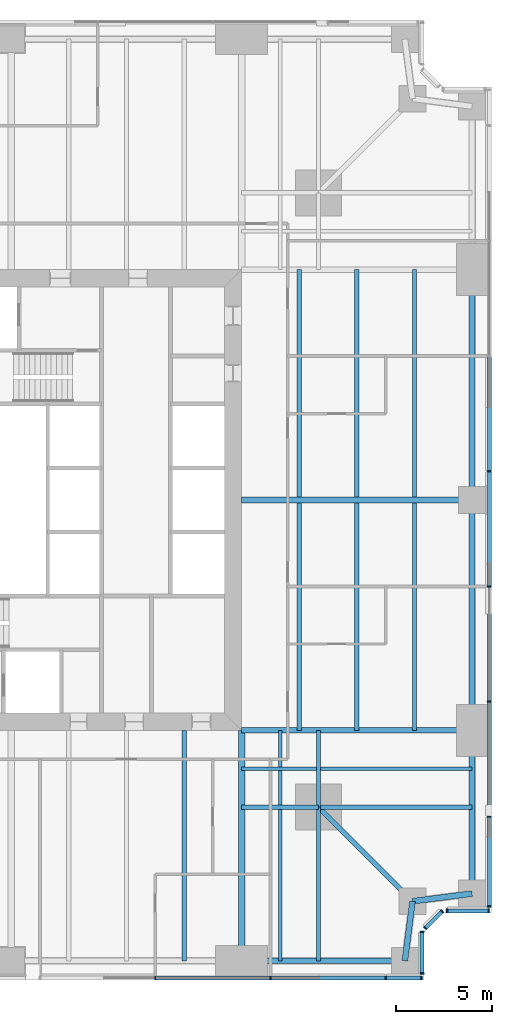
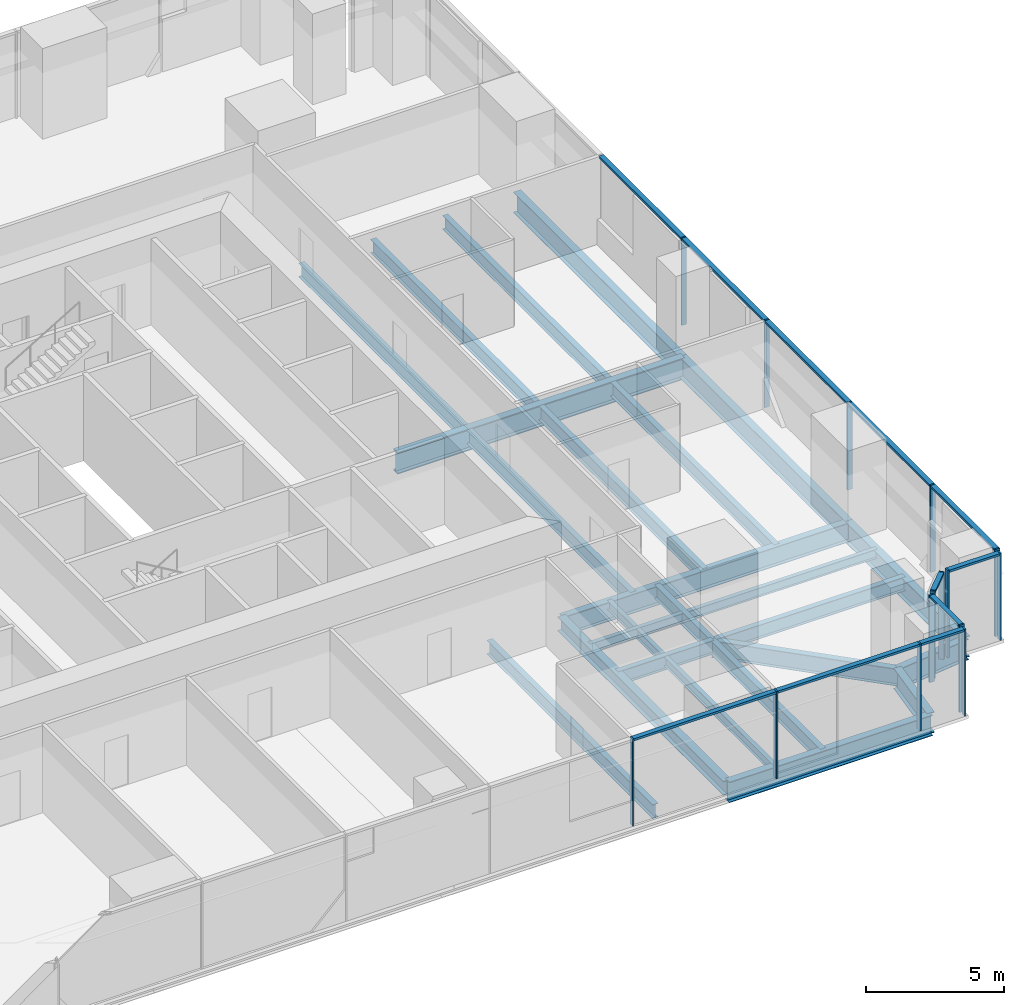
# One storey, part 5 of 13: 26 beams, 26 members, 5 elements without a shape of their own.
"""IFC4 building model written with IfcOpenShell, lengths in metres."""

from ifc_helpers import new_model, si_unit, direction, frame, origin, origin_2d, place, context, subcontext, project, spatial, rectangle, i_section, extrude, material, material_profile, profile_set, type_object, element, aggregate, save


model = new_model("IFC4")

# Units and contexts
model_context = context("Model", 3, precision=1e-05, world=origin(), true_north=direction((0.0, 1.0)))
body_context = subcontext(model_context, "Body", "Model", "MODEL_VIEW")
ifc_project = project(units=[si_unit("LENGTHUNIT", "METRE"), si_unit("AREAUNIT", "SQUARE_METRE"), si_unit("VOLUMEUNIT", "CUBIC_METRE"), si_unit("PLANEANGLEUNIT", "RADIAN"), si_unit("MASSUNIT", "GRAM", prefix="KILO")], contexts=[model_context])

# Site, building, storey
site_placement = place(None, origin())
site = spatial("IfcSite", under=ifc_project, at=site_placement, CompositionType="ELEMENT")
building_placement = place(site_placement, origin())
building = spatial("IfcBuilding", under=site, at=building_placement, Name="Fenwick Lantern Interchange", CompositionType="ELEMENT")
storey_placement = place(building_placement, frame((0.0, 0.0, 63.0)))
storey = spatial("IfcBuildingStorey", under=building, at=storey_placement, Name="L14", CompositionType="ELEMENT", Elevation=63.0)

# Beams
ifc_material_1 = material(Name="Steel ASTM A992 Grade 50", Category="steel")
ifc_material_profile_1 = material_profile(ifc_material_1, i_section(OverallWidth=0.3046875, OverallDepth=0.911865234375, WebThickness=0.015869140625, FlangeThickness=0.02392578125, at=origin_2d()), Name="W36X150")
ifc_profile_set_1 = profile_set([ifc_material_profile_1], Name="Steel ASTM A992 Grade 50")
beam_type_1 = type_object("IfcBeamType", Name="EDGE BEAM W36X150", PredefinedType="SPANDREL", material=ifc_profile_set_1)
beam_1_placement = place(storey_placement, frame((37.0, 1.0, -0.60595703125), z_axis=(1.0, 0.0, 0.0), x_axis=(0.0, 1.0, 0.0)))
element("IfcBeam", 1, at=beam_1_placement, inside=storey, type_object=beam_type_1, Name="L14/FR/S/EB4", PredefinedType="SPANDREL", context=body_context, shape_type="SweptSolid", body=[
    extrude(i_section(OverallWidth=0.3046875, OverallDepth=0.911865234375, WebThickness=0.015869140625, FlangeThickness=0.02392578125, at=origin_2d()), origin(), (0.0, 0.0, 1.0), 8.5),
])
for number, where, z_axis, x_axis, name in (
    (2, (45.5, 1.0, -0.60595703125), (0.127936641807, 0.991782342897, 0.0), (-0.991782342897, 0.127936641807, 0.0), "L14/FR/S/EBR1"),
    (3, (45.89990234375, 4.10009765625, -0.60595703125), (0.991782342897, 0.127936641807, 0.0), (-0.127936641807, 0.991782342897, 0.0), "L14/FR/S/EBR2"),
):
    element("IfcBeam", number, at=place(storey_placement, frame(where, z_axis=z_axis, x_axis=x_axis)), inside=storey, type_object=beam_type_1, Name=name, PredefinedType="SPANDREL", context=body_context, shape_type="SweptSolid", body=[
        extrude(i_section(OverallWidth=0.3046875, OverallDepth=0.911865234375, WebThickness=0.015869140625, FlangeThickness=0.02392578125, at=origin_2d()), origin(), (0.0, 0.0, 1.0), 3.125732421875),
    ])
beam_2_placement = place(storey_placement, frame((49.0, 4.5, -0.60595703125), z_axis=(0.0, 1.0, 0.0), x_axis=(-1.0, 0.0, 0.0)))
element("IfcBeam", 4, at=beam_2_placement, inside=storey, type_object=beam_type_1, Name="L14/FR/E/EB1", PredefinedType="SPANDREL", context=body_context, shape_type="SweptSolid", body=[
    extrude(i_section(OverallWidth=0.3046875, OverallDepth=0.911865234375, WebThickness=0.015869140625, FlangeThickness=0.02392578125, at=origin_2d()), origin(), (0.0, 0.0, 1.0), 8.5),
])
for number, where, z_axis, x_axis, name in (
    (5, (49.0, 13.0, -0.60595703125), (0.0, 1.0, 0.0), (-1.0, 0.0, 0.0), "L14/FR/E/EB2"),
    (6, (49.0, 25.0, -0.60595703125), (0.0, 1.0, 0.0), (-1.0, 0.0, 0.0), "L14/FR/E/EB3"),
):
    element("IfcBeam", number, at=place(storey_placement, frame(where, z_axis=z_axis, x_axis=x_axis)), inside=storey, type_object=beam_type_1, Name=name, PredefinedType="SPANDREL", context=body_context, shape_type="SweptSolid", body=[
        extrude(i_section(OverallWidth=0.3046875, OverallDepth=0.911865234375, WebThickness=0.015869140625, FlangeThickness=0.02392578125, at=origin_2d()), origin(), (0.0, 0.0, 1.0), 12.0),
    ])
ifc_material_profile_2 = material_profile(ifc_material_1, i_section(OverallWidth=0.22900390625, OverallDepth=0.612060546875, WebThickness=0.011962890625, FlangeThickness=0.01953125, at=origin_2d()), Name="W24X84")
ifc_profile_set_2 = profile_set([ifc_material_profile_2], Name="Steel ASTM A992 Grade 50")
beam_type_2 = type_object("IfcBeamType", Name="FLOOR BEAM W24X84", PredefinedType="BEAM", material=ifc_profile_set_2)
beam_3_placement = place(storey_placement, frame((34.0, 1.0, -0.4560546875), z_axis=(0.0, 1.0, 0.0), x_axis=(-1.0, 0.0, 0.0)))
element("IfcBeam", 7, at=beam_3_placement, inside=storey, type_object=beam_type_2, Name="L14/FR/S/R08", PredefinedType="BEAM", context=body_context, shape_type="SweptSolid", body=[
    extrude(i_section(OverallWidth=0.22900390625, OverallDepth=0.612060546875, WebThickness=0.011962890625, FlangeThickness=0.01953125, at=origin_2d()), origin(), (0.0, 0.0, 1.0), 12.0),
])
for number, where, z_axis, x_axis, name in (
    (8, (46.0, 13.0, -0.4560546875), (0.0, 1.0, 0.0), (-1.0, 0.0, 0.0), "L14/FR/E/B01"),
    (9, (43.0, 13.0, -0.4560546875), (0.0, 1.0, 0.0), (-1.0, 0.0, 0.0), "L14/FR/E/B02"),
    (10, (40.0, 13.0, -0.4560546875), (0.0, 1.0, 0.0), (-1.0, 0.0, 0.0), "L14/FR/E/B03"),
    (11, (46.0, 25.155029296875, -0.4560546875), (0.0, 1.0, 0.0), (-1.0, 0.0, 0.0), "L14/FR/E/B04"),
    (12, (43.0, 25.155029296875, -0.4560546875), (0.0, 1.0, 0.0), (-1.0, 0.0, 0.0), "L14/FR/E/B05"),
    (13, (40.0, 25.155029296875, -0.4560546875), (0.0, 1.0, 0.0), (-1.0, 0.0, 0.0), "L14/FR/E/B06"),
):
    element("IfcBeam", number, at=place(storey_placement, frame(where, z_axis=z_axis, x_axis=x_axis)), inside=storey, type_object=beam_type_2, Name=name, PredefinedType="BEAM", context=body_context, shape_type="SweptSolid", body=[
        extrude(i_section(OverallWidth=0.22900390625, OverallDepth=0.612060546875, WebThickness=0.011962890625, FlangeThickness=0.01953125, at=origin_2d()), origin(), (0.0, 0.0, 1.0), 11.844970703125),
    ])
ifc_material_profile_3 = material_profile(ifc_material_1, i_section(OverallWidth=0.177734375, OverallDepth=0.406494140625, WebThickness=0.0078125, FlangeThickness=0.012939453125, at=origin_2d()), Name="W16X40")
ifc_profile_set_3 = profile_set([ifc_material_profile_3], Name="Steel ASTM A992 Grade 50")
beam_type_3 = type_object("IfcBeamType", Name="INFILL BEAM W16X40", PredefinedType="JOIST", material=ifc_profile_set_3)
beam_4_placement = place(storey_placement, frame((49.0, 11.0, -0.353271484375), z_axis=(-1.0, 0.0, 0.0), x_axis=(0.0, -1.0, 0.0)))
element("IfcBeam", 14, at=beam_4_placement, inside=storey, type_object=beam_type_3, Name="L14/FR/E/J1", PredefinedType="JOIST", context=body_context, shape_type="SweptSolid", body=[
    extrude(i_section(OverallWidth=0.177734375, OverallDepth=0.406494140625, WebThickness=0.0078125, FlangeThickness=0.012939453125, at=origin_2d()), origin(), (0.0, 0.0, 1.0), 7.885498046875),
])
beam_5_placement = place(storey_placement, frame((40.885498046875, 11.0, -0.353271484375), z_axis=(-1.0, 0.0, 0.0), x_axis=(0.0, -1.0, 0.0)))
element("IfcBeam", 15, at=beam_5_placement, inside=storey, type_object=beam_type_3, Name="L14/FR/E/J2", PredefinedType="JOIST", context=body_context, shape_type="SweptSolid", body=[
    extrude(i_section(OverallWidth=0.177734375, OverallDepth=0.406494140625, WebThickness=0.0078125, FlangeThickness=0.012939453125, at=origin_2d()), origin(), (0.0, 0.0, 1.0), 3.885498046875),
])
beam_6_placement = place(storey_placement, frame((39.0, 1.0, -0.353271484375), z_axis=(0.0, 1.0, 0.0), x_axis=(-1.0, 0.0, 0.0)))
element("IfcBeam", 16, at=beam_6_placement, inside=storey, type_object=beam_type_3, Name="L14/FR/E/J3", PredefinedType="JOIST", context=body_context, shape_type="SweptSolid", body=[
    extrude(i_section(OverallWidth=0.177734375, OverallDepth=0.406494140625, WebThickness=0.0078125, FlangeThickness=0.012939453125, at=origin_2d()), origin(), (0.0, 0.0, 1.0), 7.885498046875),
])
beam_7_placement = place(storey_placement, frame((39.0, 9.114501953125, -0.353271484375), z_axis=(0.0, 1.0, 0.0), x_axis=(-1.0, 0.0, 0.0)))
element("IfcBeam", 17, at=beam_7_placement, inside=storey, type_object=beam_type_3, Name="L14/FR/E/J4", PredefinedType="JOIST", context=body_context, shape_type="SweptSolid", body=[
    extrude(i_section(OverallWidth=0.177734375, OverallDepth=0.406494140625, WebThickness=0.0078125, FlangeThickness=0.012939453125, at=origin_2d()), origin(), (0.0, 0.0, 1.0), 1.796630859375),
])
beam_8_placement = place(storey_placement, frame((39.0, 11.0888671875, -0.353271484375), z_axis=(0.0, 1.0, 0.0), x_axis=(-1.0, 0.0, 0.0)))
element("IfcBeam", 18, at=beam_8_placement, inside=storey, type_object=beam_type_3, Name="L14/FR/E/J5", PredefinedType="JOIST", context=body_context, shape_type="SweptSolid", body=[
    extrude(i_section(OverallWidth=0.177734375, OverallDepth=0.406494140625, WebThickness=0.0078125, FlangeThickness=0.012939453125, at=origin_2d()), origin(), (0.0, 0.0, 1.0), 1.9111328125),
])
ifc_material_profile_4 = material_profile(ifc_material_1, i_section(OverallWidth=0.22900390625, OverallDepth=0.612060546875, WebThickness=0.011962890625, FlangeThickness=0.01953125, at=origin_2d()), Name="W24X84")
ifc_profile_set_4 = profile_set([ifc_material_profile_4], Name="Steel ASTM A992 Grade 50")
beam_type_4 = type_object("IfcBeamType", Name="MEGA COLUMN BEAM W24X84", PredefinedType="BEAM", material=ifc_profile_set_4)
for number, where, z_axis, x_axis, name in (
    (19, (41.0, 9.0, -0.4560546875), (1.0, 0.0, 0.0), (0.0, 1.0, 0.0), "L14/FR/E/MB1"),
    (20, (41.0, 9.0, -0.4560546875), (0.0, -1.0, 0.0), (1.0, 0.0, 0.0), "L14/FR/E/MB2"),
):
    element("IfcBeam", number, at=place(storey_placement, frame(where, z_axis=z_axis, x_axis=x_axis)), inside=storey, type_object=beam_type_4, Name=name, PredefinedType="BEAM", context=body_context, shape_type="SweptSolid", body=[
        extrude(i_section(OverallWidth=0.22900390625, OverallDepth=0.612060546875, WebThickness=0.011962890625, FlangeThickness=0.01953125, at=origin_2d()), origin(), (0.0, 0.0, 1.0), 8.0),
    ])
for number, where, z_axis, x_axis, name in (
    (21, (41.0, 9.0, -0.4560546875), (0.0, 1.0, 0.0), (-1.0, 0.0, 0.0), "L14/FR/E/MB3"),
    (22, (41.0, 9.0, -0.4560546875), (-1.0, 0.0, 0.0), (0.0, -1.0, 0.0), "L14/FR/E/MB4"),
):
    element("IfcBeam", number, at=place(storey_placement, frame(where, z_axis=z_axis, x_axis=x_axis)), inside=storey, type_object=beam_type_4, Name=name, PredefinedType="BEAM", context=body_context, shape_type="SweptSolid", body=[
        extrude(i_section(OverallWidth=0.22900390625, OverallDepth=0.612060546875, WebThickness=0.011962890625, FlangeThickness=0.01953125, at=origin_2d()), origin(), (0.0, 0.0, 1.0), 4.0),
    ])
ifc_material_profile_5 = material_profile(ifc_material_1, i_section(OverallWidth=0.32763671875, OverallDepth=0.622314453125, WebThickness=0.015380859375, FlangeThickness=0.0244140625, at=origin_2d()), Name="W24X131")
ifc_profile_set_5 = profile_set([ifc_material_profile_5], Name="Steel ASTM A992 Grade 50")
beam_type_5 = type_object("IfcBeamType", Name="MOMENT-CONNECTED GIRDER W24X131", PredefinedType="BEAM", material=ifc_profile_set_5)
beam_9_placement = place(storey_placement, frame((37.0, 1.0, -0.461181640625), z_axis=(0.0, 1.0, 0.0), x_axis=(-1.0, 0.0, 0.0)))
element("IfcBeam", 23, at=beam_9_placement, inside=storey, type_object=beam_type_5, Name="L14/FR/S/R09", PredefinedType="BEAM", context=body_context, shape_type="SweptSolid", body=[
    extrude(i_section(OverallWidth=0.32763671875, OverallDepth=0.622314453125, WebThickness=0.015380859375, FlangeThickness=0.0244140625, at=origin_2d()), origin(), (0.0, 0.0, 1.0), 12.0),
])
ifc_material_profile_6 = material_profile(ifc_material_1, i_section(OverallWidth=0.2919921875, OverallDepth=0.845703125, WebThickness=0.015380859375, FlangeThickness=0.0244140625, at=origin_2d()), Name="W33X141")
ifc_profile_set_6 = profile_set([ifc_material_profile_6], Name="Steel ASTM A992 Grade 50")
beam_type_6 = type_object("IfcBeamType", Name="MOMENT-CONNECTED GIRDER W33X141", PredefinedType="BEAM", material=ifc_profile_set_6)
beam_10_placement = place(storey_placement, frame((49.0, 13.0, -0.572998046875), z_axis=(-1.0, 0.0, 0.0), x_axis=(0.0, -1.0, 0.0)))
element("IfcBeam", 24, at=beam_10_placement, inside=storey, type_object=beam_type_6, Name="L14/FR/E/R01", PredefinedType="BEAM", context=body_context, shape_type="SweptSolid", body=[
    extrude(i_section(OverallWidth=0.2919921875, OverallDepth=0.845703125, WebThickness=0.015380859375, FlangeThickness=0.0244140625, at=origin_2d()), origin(), (0.0, 0.0, 1.0), 12.0),
])
ifc_material_profile_7 = material_profile(ifc_material_1, i_section(OverallWidth=0.309814453125, OverallDepth=0.949951171875, WebThickness=0.0244140625, FlangeThickness=0.0439453125, at=origin_2d()), Name="W36X256")
ifc_profile_set_7 = profile_set([ifc_material_profile_7], Name="Steel ASTM A992 Grade 50")
beam_type_7 = type_object("IfcBeamType", Name="MOMENT-CONNECTED GIRDER W36X256", PredefinedType="BEAM", material=ifc_profile_set_7)
beam_11_placement = place(storey_placement, frame((49.0, 25.0, -0.625), z_axis=(-1.0, 0.0, 0.0), x_axis=(0.0, -1.0, 0.0)))
element("IfcBeam", 25, at=beam_11_placement, inside=storey, type_object=beam_type_7, Name="L14/FR/E/R02", PredefinedType="BEAM", context=body_context, shape_type="SweptSolid", body=[
    extrude(i_section(OverallWidth=0.309814453125, OverallDepth=0.949951171875, WebThickness=0.0244140625, FlangeThickness=0.0439453125, at=origin_2d()), origin(), (0.0, 0.0, 1.0), 12.0),
])
ifc_material_profile_8 = material_profile(ifc_material_1, i_section(OverallWidth=0.2666015625, OverallDepth=0.7568359375, WebThickness=0.013916015625, FlangeThickness=0.019287109375, at=origin_2d()), Name="W30X108")
ifc_profile_set_8 = profile_set([ifc_material_profile_8], Name="Steel ASTM A992 Grade 50")
beam_type_8 = type_object("IfcBeamType", Name="NOTCH BEAM W30X108", PredefinedType="BEAM", material=ifc_profile_set_8)
beam_12_placement = place(storey_placement, frame((41.0, 9.0, -0.528564453125), z_axis=(0.707106781187, -0.707106781187, 0.0), x_axis=(0.707106781187, 0.707106781187, 0.0)))
element("IfcBeam", 26, at=beam_12_placement, inside=storey, type_object=beam_type_8, Name="L14/FR/E/TG", PredefinedType="BEAM", context=body_context, shape_type="SweptSolid", body=[
    extrude(i_section(OverallWidth=0.2666015625, OverallDepth=0.7568359375, WebThickness=0.013916015625, FlangeThickness=0.019287109375, at=origin_2d()), origin(), (0.0, 0.0, 1.0), 6.929443359375),
])

# Curtain wall, members
ifc_material_2 = material(Name="Aluminium curtain wall frame", Category="aluminium")
curtain_wall_type = type_object("IfcCurtainWallType", Name="OFFICE CURTAIN WALL", PredefinedType="USERDEFINED", material=ifc_material_2)
curtain_wall_1_placement = place(storey_placement, origin())
curtain_wall_1 = element("IfcCurtainWall", 27, at=curtain_wall_1_placement, inside=storey, type_object=curtain_wall_type, Name="Office curtain wall 01", ObjectType="OFFICE CURTAIN WALL", PredefinedType="USERDEFINED")
ifc_material_3 = material(Name="Aluminium extrusion", Category="aluminium")
ifc_material_profile_9 = material_profile(ifc_material_3, rectangle(XDim=0.199951171875, YDim=0.06494140625, at=origin_2d()), Name="OFFICE CURTAIN WALL MULLION 65 X 200")
ifc_profile_set_9 = profile_set([ifc_material_profile_9], Name="Aluminium extrusion")
member_type_1 = type_object("IfcMemberType", Name="OFFICE CURTAIN WALL MULLION 65 X 200", PredefinedType="MULLION", material=ifc_profile_set_9)
member_1_placement = place(storey_placement, frame((32.5, 0.10009765625, 0.0), z_axis=(0.0, 0.0, 1.0), x_axis=(0.0, 1.0, 0.0)))
member_1 = element("IfcMember", 28, at=member_1_placement, type_object=member_type_1, Name="L14/CW/01/M05", PredefinedType="MULLION", context=body_context, shape_type="SweptSolid", body=[
    extrude(rectangle(XDim=0.199951171875, YDim=0.06494140625, at=origin_2d()), origin(), (0.0, 0.0, 1.0), 3.85009765625),
])
member_2_placement = place(storey_placement, frame((38.5, 0.10009765625, 0.0), z_axis=(0.0, 0.0, 1.0), x_axis=(0.0, 1.0, 0.0)))
member_2 = element("IfcMember", 29, at=member_2_placement, type_object=member_type_1, Name="L14/CW/01/M06", PredefinedType="MULLION", context=body_context, shape_type="SweptSolid", body=[
    extrude(rectangle(XDim=0.199951171875, YDim=0.06494140625, at=origin_2d()), origin(), (0.0, 0.0, 1.0), 3.85009765625),
])
member_3_placement = place(storey_placement, frame((44.5, 0.10009765625, 0.0), z_axis=(0.0, 0.0, 1.0), x_axis=(0.0, 1.0, 0.0)))
member_3 = element("IfcMember", 30, at=member_3_placement, type_object=member_type_1, Name="L14/CW/01/M07", PredefinedType="MULLION", context=body_context, shape_type="SweptSolid", body=[
    extrude(rectangle(XDim=0.199951171875, YDim=0.06494140625, at=origin_2d()), origin(), (0.0, 0.0, 1.0), 3.85009765625),
])
member_4_placement = place(storey_placement, frame((46.367431640625, 0.10009765625, 0.0), z_axis=(0.0, 0.0, 1.0), x_axis=(0.0, 1.0, 0.0)))
member_4 = element("IfcMember", 31, at=member_4_placement, type_object=member_type_1, Name="L14/CW/01/M08", PredefinedType="MULLION", context=body_context, shape_type="SweptSolid", body=[
    extrude(rectangle(XDim=0.199951171875, YDim=0.06494140625, at=origin_2d()), origin(), (0.0, 0.0, 1.0), 3.85009765625),
])

curtain_wall_2_placement = place(storey_placement, origin())
curtain_wall_2 = element("IfcCurtainWall", 32, at=curtain_wall_2_placement, inside=storey, type_object=curtain_wall_type, Name="Office curtain wall 02", ObjectType="OFFICE CURTAIN WALL", PredefinedType="USERDEFINED")
member_5_placement = place(storey_placement, frame((46.39990234375, 0.33251953125, 0.0), z_axis=(0.0, 0.0, 1.0), x_axis=(-1.0, 0.0, 0.0)))
member_5 = element("IfcMember", 33, at=member_5_placement, type_object=member_type_1, Name="L14/CW/02/M00", PredefinedType="MULLION", context=body_context, shape_type="SweptSolid", body=[
    extrude(rectangle(XDim=0.199951171875, YDim=0.06494140625, at=origin_2d()), origin(), (0.0, 0.0, 1.0), 3.85009765625),
])
member_6_placement = place(storey_placement, frame((46.39990234375, 2.509033203125, 0.0), z_axis=(0.0, 0.0, 1.0), x_axis=(-1.0, 0.0, 0.0)))
member_6 = element("IfcMember", 34, at=member_6_placement, type_object=member_type_1, Name="L14/CW/02/M01", PredefinedType="MULLION", context=body_context, shape_type="SweptSolid", body=[
    extrude(rectangle(XDim=0.199951171875, YDim=0.06494140625, at=origin_2d()), origin(), (0.0, 0.0, 1.0), 3.85009765625),
])

curtain_wall_3_placement = place(storey_placement, origin())
curtain_wall_3 = element("IfcCurtainWall", 35, at=curtain_wall_3_placement, inside=storey, type_object=curtain_wall_type, Name="Office curtain wall 03", ObjectType="OFFICE CURTAIN WALL", PredefinedType="USERDEFINED")
member_7_placement = place(storey_placement, frame((46.564453125, 2.705810546875, 0.0), z_axis=(0.0, 0.0, 1.0), x_axis=(-0.707106781187, 0.707106781187, 0.0)))
member_7 = element("IfcMember", 36, at=member_7_placement, type_object=member_type_1, Name="L14/CW/03/M00", PredefinedType="MULLION", context=body_context, shape_type="SweptSolid", body=[
    extrude(rectangle(XDim=0.199951171875, YDim=0.06494140625, at=origin_2d()), origin(), (0.0, 0.0, 1.0), 3.85009765625),
])
member_8_placement = place(storey_placement, frame((47.435546875, 3.576904296875, 0.0), z_axis=(0.0, 0.0, 1.0), x_axis=(-0.707106781187, 0.707106781187, 0.0)))
member_8 = element("IfcMember", 37, at=member_8_placement, type_object=member_type_1, Name="L14/CW/03/M01", PredefinedType="MULLION", context=body_context, shape_type="SweptSolid", body=[
    extrude(rectangle(XDim=0.199951171875, YDim=0.06494140625, at=origin_2d()), origin(), (0.0, 0.0, 1.0), 3.85009765625),
])

curtain_wall_4_placement = place(storey_placement, origin())
curtain_wall_4 = element("IfcCurtainWall", 38, at=curtain_wall_4_placement, inside=storey, type_object=curtain_wall_type, Name="Office curtain wall 04", ObjectType="OFFICE CURTAIN WALL", PredefinedType="USERDEFINED")
member_9_placement = place(storey_placement, frame((47.691162109375, 3.60009765625, 0.0), z_axis=(0.0, 0.0, 1.0), x_axis=(0.0, 1.0, 0.0)))
member_9 = element("IfcMember", 39, at=member_9_placement, type_object=member_type_1, Name="L14/CW/04/M00", PredefinedType="MULLION", context=body_context, shape_type="SweptSolid", body=[
    extrude(rectangle(XDim=0.199951171875, YDim=0.06494140625, at=origin_2d()), origin(), (0.0, 0.0, 1.0), 3.85009765625),
])
member_10_placement = place(storey_placement, frame((49.867431640625, 3.60009765625, 0.0), z_axis=(0.0, 0.0, 1.0), x_axis=(0.0, 1.0, 0.0)))
member_10 = element("IfcMember", 40, at=member_10_placement, type_object=member_type_1, Name="L14/CW/04/M01", PredefinedType="MULLION", context=body_context, shape_type="SweptSolid", body=[
    extrude(rectangle(XDim=0.199951171875, YDim=0.06494140625, at=origin_2d()), origin(), (0.0, 0.0, 1.0), 3.85009765625),
])

curtain_wall_5_placement = place(storey_placement, origin())
curtain_wall_5 = element("IfcCurtainWall", 41, at=curtain_wall_5_placement, inside=storey, type_object=curtain_wall_type, Name="Office curtain wall 05", ObjectType="OFFICE CURTAIN WALL", PredefinedType="USERDEFINED")
member_11_placement = place(storey_placement, frame((49.89990234375, 3.83251953125, 0.0), z_axis=(0.0, 0.0, 1.0), x_axis=(-1.0, 0.0, 0.0)))
member_11 = element("IfcMember", 42, at=member_11_placement, type_object=member_type_1, Name="L14/CW/05/M00", PredefinedType="MULLION", context=body_context, shape_type="SweptSolid", body=[
    extrude(rectangle(XDim=0.199951171875, YDim=0.06494140625, at=origin_2d()), origin(), (0.0, 0.0, 1.0), 3.85009765625),
])
member_12_placement = place(storey_placement, frame((49.89990234375, 8.5, 0.0), z_axis=(0.0, 0.0, 1.0), x_axis=(-1.0, 0.0, 0.0)))
member_12 = element("IfcMember", 43, at=member_12_placement, type_object=member_type_1, Name="L14/CW/05/M01", PredefinedType="MULLION", context=body_context, shape_type="SweptSolid", body=[
    extrude(rectangle(XDim=0.199951171875, YDim=0.06494140625, at=origin_2d()), origin(), (0.0, 0.0, 1.0), 3.85009765625),
])
member_13_placement = place(storey_placement, frame((49.89990234375, 14.5, 0.0), z_axis=(0.0, 0.0, 1.0), x_axis=(-1.0, 0.0, 0.0)))
member_13 = element("IfcMember", 44, at=member_13_placement, type_object=member_type_1, Name="L14/CW/05/M02", PredefinedType="MULLION", context=body_context, shape_type="SweptSolid", body=[
    extrude(rectangle(XDim=0.199951171875, YDim=0.06494140625, at=origin_2d()), origin(), (0.0, 0.0, 1.0), 3.85009765625),
])
member_14_placement = place(storey_placement, frame((49.89990234375, 20.5, 0.0), z_axis=(0.0, 0.0, 1.0), x_axis=(-1.0, 0.0, 0.0)))
member_14 = element("IfcMember", 45, at=member_14_placement, type_object=member_type_1, Name="L14/CW/05/M03", PredefinedType="MULLION", context=body_context, shape_type="SweptSolid", body=[
    extrude(rectangle(XDim=0.199951171875, YDim=0.06494140625, at=origin_2d()), origin(), (0.0, 0.0, 1.0), 3.85009765625),
])
member_15_placement = place(storey_placement, frame((49.89990234375, 26.5, 0.0), z_axis=(0.0, 0.0, 1.0), x_axis=(-1.0, 0.0, 0.0)))
member_15 = element("IfcMember", 46, at=member_15_placement, type_object=member_type_1, Name="L14/CW/05/M04", PredefinedType="MULLION", context=body_context, shape_type="SweptSolid", body=[
    extrude(rectangle(XDim=0.199951171875, YDim=0.06494140625, at=origin_2d()), origin(), (0.0, 0.0, 1.0), 3.85009765625),
])

# Member
ifc_material_profile_10 = material_profile(ifc_material_3, rectangle(XDim=0.199951171875, YDim=0.10009765625, at=origin_2d()), Name="OFFICE CURTAIN WALL TRANSOM 100 X 200")
ifc_profile_set_10 = profile_set([ifc_material_profile_10], Name="Aluminium extrusion")
member_type_2 = type_object("IfcMemberType", Name="OFFICE CURTAIN WALL TRANSOM 100 X 200", PredefinedType="MULLION", material=ifc_profile_set_10)
member_16_placement = place(storey_placement, frame((32.532470703125, 0.10009765625, 3.800048828125), z_axis=(1.0, 0.0, 0.0), x_axis=(0.0, 1.0, 0.0)))
member_16 = element("IfcMember", 47, at=member_16_placement, type_object=member_type_2, Name="L14/CW/01/T05", PredefinedType="MULLION", context=body_context, shape_type="SweptSolid", body=[
    extrude(rectangle(XDim=0.199951171875, YDim=0.10009765625, at=origin_2d()), origin(), (0.0, 0.0, 1.0), 5.93505859375),
])

member_17_placement = place(storey_placement, frame((38.532470703125, 0.10009765625, 3.800048828125), z_axis=(1.0, 0.0, 0.0), x_axis=(0.0, 1.0, 0.0)))
member_17 = element("IfcMember", 48, at=member_17_placement, type_object=member_type_2, Name="L14/CW/01/T06", PredefinedType="MULLION", context=body_context, shape_type="SweptSolid", body=[
    extrude(rectangle(XDim=0.199951171875, YDim=0.10009765625, at=origin_2d()), origin(), (0.0, 0.0, 1.0), 5.93505859375),
])

member_18_placement = place(storey_placement, frame((44.532470703125, 0.10009765625, 3.800048828125), z_axis=(1.0, 0.0, 0.0), x_axis=(0.0, 1.0, 0.0)))
member_18 = element("IfcMember", 49, at=member_18_placement, type_object=member_type_2, Name="L14/CW/01/T07", PredefinedType="MULLION", context=body_context, shape_type="SweptSolid", body=[
    extrude(rectangle(XDim=0.199951171875, YDim=0.10009765625, at=origin_2d()), origin(), (0.0, 0.0, 1.0), 1.802490234375),
])

aggregate(curtain_wall_1, [member_1, member_2, member_3, member_4, member_16, member_17, member_18])

member_19_placement = place(storey_placement, frame((46.39990234375, 0.364990234375, 3.800048828125), z_axis=(0.0, 1.0, 0.0), x_axis=(-1.0, 0.0, 0.0)))
member_19 = element("IfcMember", 50, at=member_19_placement, type_object=member_type_2, Name="L14/CW/02/T00", PredefinedType="MULLION", context=body_context, shape_type="SweptSolid", body=[
    extrude(rectangle(XDim=0.199951171875, YDim=0.10009765625, at=origin_2d()), origin(), (0.0, 0.0, 1.0), 2.111328125),
])

aggregate(curtain_wall_2, [member_5, member_6, member_19])

member_20_placement = place(storey_placement, frame((46.58740234375, 2.728759765625, 3.800048828125), z_axis=(0.707106781187, 0.707106781187, 0.0), x_axis=(-0.707106781187, 0.707106781187, 0.0)))
member_20 = element("IfcMember", 51, at=member_20_placement, type_object=member_type_2, Name="L14/CW/03/T00", PredefinedType="MULLION", context=body_context, shape_type="SweptSolid", body=[
    extrude(rectangle(XDim=0.199951171875, YDim=0.10009765625, at=origin_2d()), origin(), (0.0, 0.0, 1.0), 1.1669921875),
])

aggregate(curtain_wall_3, [member_7, member_8, member_20])

member_21_placement = place(storey_placement, frame((47.7236328125, 3.60009765625, 3.800048828125), z_axis=(1.0, 0.0, 0.0), x_axis=(0.0, 1.0, 0.0)))
member_21 = element("IfcMember", 52, at=member_21_placement, type_object=member_type_2, Name="L14/CW/04/T00", PredefinedType="MULLION", context=body_context, shape_type="SweptSolid", body=[
    extrude(rectangle(XDim=0.199951171875, YDim=0.10009765625, at=origin_2d()), origin(), (0.0, 0.0, 1.0), 2.111328125),
])

aggregate(curtain_wall_4, [member_9, member_10, member_21])

member_22_placement = place(storey_placement, frame((49.89990234375, 3.864990234375, 3.800048828125), z_axis=(0.0, 1.0, 0.0), x_axis=(-1.0, 0.0, 0.0)))
member_22 = element("IfcMember", 53, at=member_22_placement, type_object=member_type_2, Name="L14/CW/05/T00", PredefinedType="MULLION", context=body_context, shape_type="SweptSolid", body=[
    extrude(rectangle(XDim=0.199951171875, YDim=0.10009765625, at=origin_2d()), origin(), (0.0, 0.0, 1.0), 4.6025390625),
])

member_23_placement = place(storey_placement, frame((49.89990234375, 8.532470703125, 3.800048828125), z_axis=(0.0, 1.0, 0.0), x_axis=(-1.0, 0.0, 0.0)))
member_23 = element("IfcMember", 54, at=member_23_placement, type_object=member_type_2, Name="L14/CW/05/T01", PredefinedType="MULLION", context=body_context, shape_type="SweptSolid", body=[
    extrude(rectangle(XDim=0.199951171875, YDim=0.10009765625, at=origin_2d()), origin(), (0.0, 0.0, 1.0), 5.93505859375),
])

member_24_placement = place(storey_placement, frame((49.89990234375, 14.532470703125, 3.800048828125), z_axis=(0.0, 1.0, 0.0), x_axis=(-1.0, 0.0, 0.0)))
member_24 = element("IfcMember", 55, at=member_24_placement, type_object=member_type_2, Name="L14/CW/05/T02", PredefinedType="MULLION", context=body_context, shape_type="SweptSolid", body=[
    extrude(rectangle(XDim=0.199951171875, YDim=0.10009765625, at=origin_2d()), origin(), (0.0, 0.0, 1.0), 5.93505859375),
])

member_25_placement = place(storey_placement, frame((49.89990234375, 20.532470703125, 3.800048828125), z_axis=(0.0, 1.0, 0.0), x_axis=(-1.0, 0.0, 0.0)))
member_25 = element("IfcMember", 56, at=member_25_placement, type_object=member_type_2, Name="L14/CW/05/T03", PredefinedType="MULLION", context=body_context, shape_type="SweptSolid", body=[
    extrude(rectangle(XDim=0.199951171875, YDim=0.10009765625, at=origin_2d()), origin(), (0.0, 0.0, 1.0), 5.93505859375),
])

member_26_placement = place(storey_placement, frame((49.89990234375, 26.532470703125, 3.800048828125), z_axis=(0.0, 1.0, 0.0), x_axis=(-1.0, 0.0, 0.0)))
member_26 = element("IfcMember", 57, at=member_26_placement, type_object=member_type_2, Name="L14/CW/05/T04", PredefinedType="MULLION", context=body_context, shape_type="SweptSolid", body=[
    extrude(rectangle(XDim=0.199951171875, YDim=0.10009765625, at=origin_2d()), origin(), (0.0, 0.0, 1.0), 5.93505859375),
])

aggregate(curtain_wall_5, [member_11, member_12, member_13, member_14, member_15, member_22, member_23, member_24, member_25, member_26])

save(model, "model.ifc")
